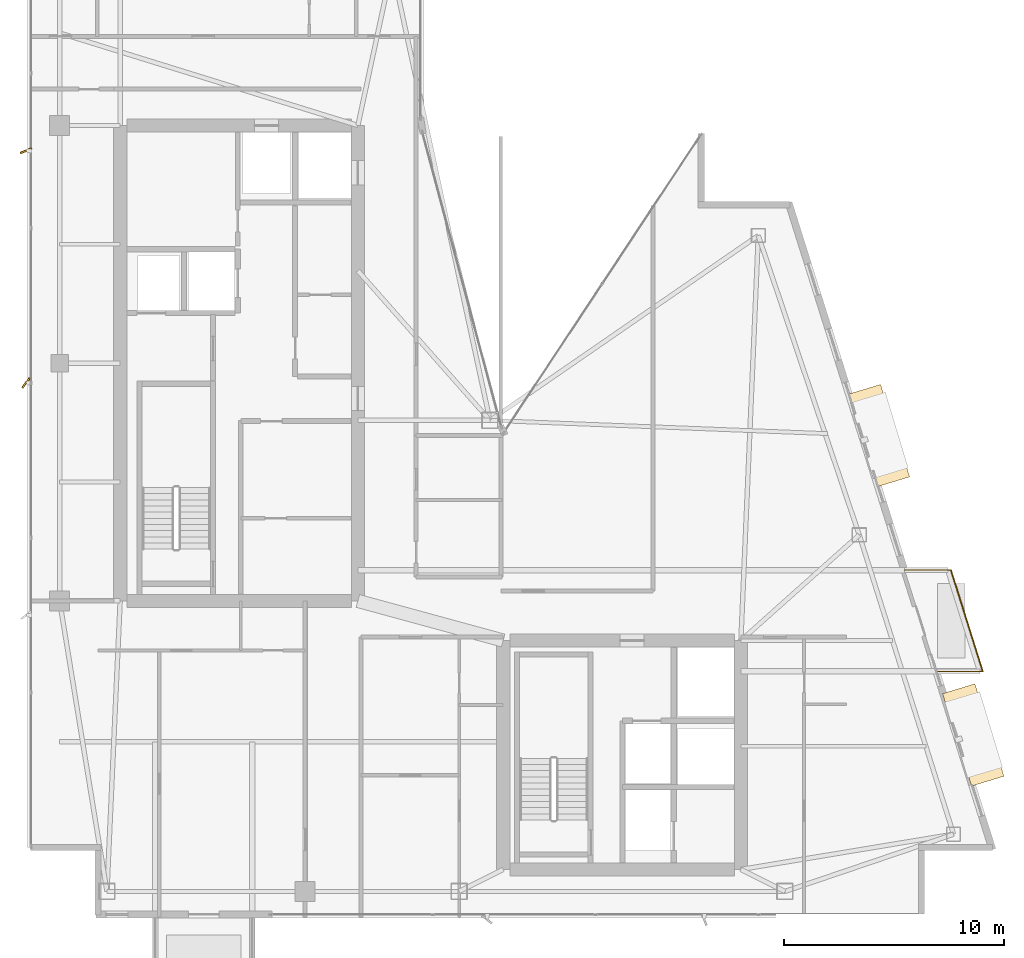
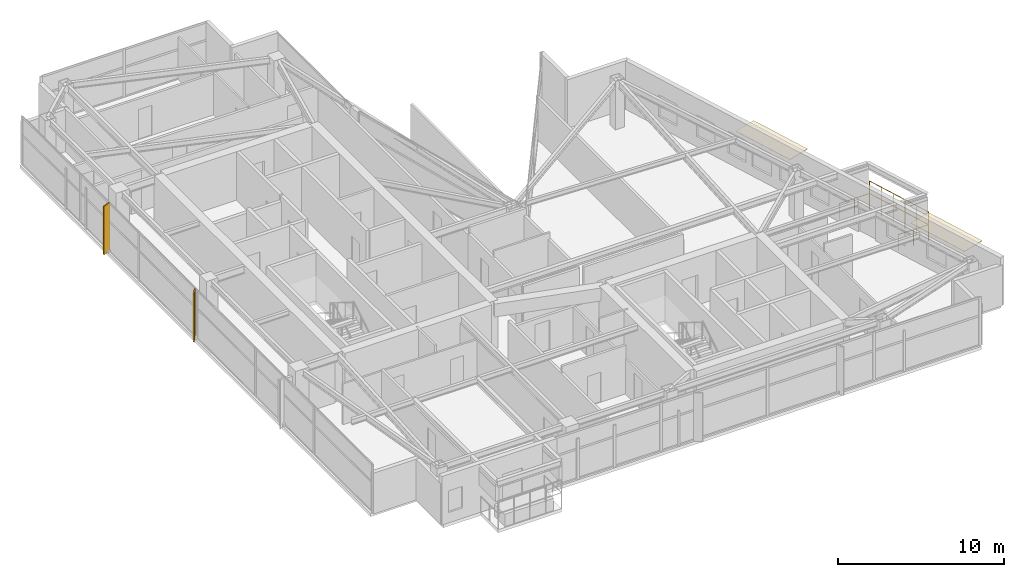
# One storey, part 28 of 28: 2 coverings, 2 railings, 2 shading devices.
"""IFC4 building model written with IfcOpenShell, lengths in metres."""

from ifc_helpers import new_model, si_unit, direction, frame, origin, origin_2d, place, context, subcontext, project, spatial, polyline, rectangle, circle, outline, extrude, material, layer, layer_set, type_object, element, save


model = new_model("IFC4")

# Units and contexts
model_context = context("Model", 3, precision=1e-05, world=origin(), true_north=direction((0.0, 1.0)))
body_context = subcontext(model_context, "Body", "Model", "MODEL_VIEW")
ifc_project = project(units=[si_unit("LENGTHUNIT", "METRE"), si_unit("AREAUNIT", "SQUARE_METRE"), si_unit("VOLUMEUNIT", "CUBIC_METRE"), si_unit("PLANEANGLEUNIT", "RADIAN"), si_unit("MASSUNIT", "GRAM", prefix="KILO")], contexts=[model_context])

# Site, building, storey
site_placement = place(None, origin())
site = spatial("IfcSite", under=ifc_project, at=site_placement, CompositionType="ELEMENT")
building_placement = place(site_placement, origin())
building = spatial("IfcBuilding", under=site, at=building_placement, Name="Calvorn Quay Hotel", CompositionType="ELEMENT")
storey_placement = place(building_placement, frame((0.0, 0.0, 271.10009765625)))
storey = spatial("IfcBuildingStorey", under=building, at=storey_placement, Name="L67", CompositionType="ELEMENT", Elevation=271.10009765625)

# Coverings
ifc_material_1 = material(Name="Pale Anodised Aluminium Rainscreen Cladding", Category="aluminium")
ifc_layer = layer(ifc_material_1, 0.044921875)
ifc_layer_set = layer_set([ifc_layer], Name="COV-CROWN-CLAD")
covering_type = type_object("IfcCoveringType", Name="COV-CROWN-CLAD", PredefinedType="CLADDING", material=ifc_layer_set)
covering_1_placement = place(storey_placement, frame((0.0, 0.0, 2.5048828125)))
element("IfcCovering", 1, at=covering_1_placement, inside=storey, type_object=covering_type, Name="Angled Bay Hood Canopy L67-HOOD-1", PredefinedType="CLADDING", context=body_context, shape_type="SweptSolid", body=[
    extrude(outline(polyline([(41.556884765625, 12.587890625), (43.030029296875, 13.034912109375), (44.35302734375, 8.8349609375), (42.8798828125, 8.387939453125), (41.556884765625, 12.587890625)])), origin(), (0.0, 0.0, 1.0), 0.044921875),
])
covering_2_placement = place(storey_placement, frame((0.0, 0.0, 2.5048828125)))
element("IfcCovering", 2, at=covering_2_placement, inside=storey, type_object=covering_type, Name="Angled Bay Hood Canopy L67-HOOD-3", PredefinedType="CLADDING", context=body_context, shape_type="SweptSolid", body=[
    extrude(outline(polyline([(37.27197265625, 26.18798828125), (38.7451171875, 26.635009765625), (40.069091796875, 22.43505859375), (38.594970703125, 21.988037109375), (37.27197265625, 26.18798828125)])), origin(), (0.0, 0.0, 1.0), 0.044921875),
])

# Railings
ifc_material_2 = material(Name="Pale Anodised Aluminium and Laminated Glass", Category="aluminium")
railing_type = type_object("IfcRailingType", Name="RLG-BALUSTRADE-1200", PredefinedType="BALUSTRADE", material=ifc_material_2)
railing_1_placement = place(storey_placement, frame((41.2890625, 13.60009765625, 0.0)))
element("IfcRailing", 3, at=railing_1_placement, inside=storey, type_object=railing_type, Name="Tree Balcony Perimeter Balustrade L67-BALC-E", PredefinedType="BALUSTRADE", context=body_context, shape_type="SweptSolid", body=[
    extrude(circle(Radius=0.02392578125, at=origin_2d()), frame((0.0, 0.0, 1.17578125), z_axis=(1.0, 0.0, 0.0), x_axis=(0.0, 1.0, 0.0)), (0.0, 0.0, 1.0), 2.099853515625),
    extrude(circle(Radius=0.02392578125, at=origin_2d()), frame((2.099853515625, 0.0, 1.17578125), z_axis=(-0.300450487966, 0.953797412599, 0.0), x_axis=(-0.953797412599, -0.300450487966, 0.0)), (0.0, 0.0, 1.0), 4.82275390625),
    extrude(circle(Radius=0.02392578125, at=origin_2d()), frame((0.65087890625, 4.599853515625, 1.17578125), z_axis=(-1.0, 0.0, 0.0), x_axis=(0.0, -1.0, 0.0)), (0.0, 0.0, 1.0), 2.099853515625),
    extrude(circle(Radius=0.02099609375, at=origin_2d()), origin(), (0.0, 0.0, 1.0), 1.15185546875),
    extrude(circle(Radius=0.02099609375, at=origin_2d()), frame((1.0498046875, 0.0, 0.0)), (0.0, 0.0, 1.0), 1.15185546875),
    extrude(circle(Radius=0.02099609375, at=origin_2d()), frame((2.099853515625, 0.0, 0.0)), (0.0, 0.0, 1.0), 1.15185546875),
    extrude(circle(Radius=0.02099609375, at=origin_2d()), frame((1.81005859375, 0.919921875, 0.0)), (0.0, 0.0, 1.0), 1.15185546875),
    extrude(circle(Radius=0.02099609375, at=origin_2d()), frame((1.520263671875, 1.83984375, 0.0)), (0.0, 0.0, 1.0), 1.15185546875),
    extrude(circle(Radius=0.02099609375, at=origin_2d()), frame((1.23046875, 2.760009765625, 0.0)), (0.0, 0.0, 1.0), 1.15185546875),
    extrude(circle(Radius=0.02099609375, at=origin_2d()), frame((0.940673828125, 3.679931640625, 0.0)), (0.0, 0.0, 1.0), 1.15185546875),
    extrude(circle(Radius=0.02099609375, at=origin_2d()), frame((0.65087890625, 4.599853515625, 0.0)), (0.0, 0.0, 1.0), 1.15185546875),
    extrude(circle(Radius=0.02099609375, at=origin_2d()), frame((-0.39892578125, 4.599853515625, 0.0)), (0.0, 0.0, 1.0), 1.15185546875),
    extrude(circle(Radius=0.02099609375, at=origin_2d()), frame((-1.448974609375, 4.599853515625, 0.0)), (0.0, 0.0, 1.0), 1.15185546875),
])
railing_2_placement = place(storey_placement, frame((43.388916015625, 13.60009765625, 0.89990234375)))
element("IfcRailing", 4, at=railing_2_placement, inside=storey, type_object=railing_type, Name="Planter Kerb High Safety Screen L67-BALC-E", PredefinedType="BALUSTRADE", context=body_context, shape_type="SweptSolid", body=[
    extrude(circle(Radius=0.02392578125, at=origin_2d()), frame((0.0, 0.0, 1.19580078125), z_axis=(-0.300450487966, 0.953797412599, 0.0), x_axis=(-0.953797412599, -0.300450487966, 0.0)), (0.0, 0.0, 1.0), 4.82275390625),
    extrude(circle(Radius=0.02099609375, at=origin_2d()), origin(), (0.0, 0.0, 1.0), 1.171875),
    extrude(circle(Radius=0.02099609375, at=origin_2d()), frame((-0.289794921875, 0.919921875, 0.0)), (0.0, 0.0, 1.0), 1.171875),
    extrude(circle(Radius=0.02099609375, at=origin_2d()), frame((-0.57958984375, 1.83984375, 0.0)), (0.0, 0.0, 1.0), 1.171875),
    extrude(circle(Radius=0.02099609375, at=origin_2d()), frame((-0.869384765625, 2.760009765625, 0.0)), (0.0, 0.0, 1.0), 1.171875),
    extrude(circle(Radius=0.02099609375, at=origin_2d()), frame((-1.1591796875, 3.679931640625, 0.0)), (0.0, 0.0, 1.0), 1.171875),
    extrude(circle(Radius=0.02099609375, at=origin_2d()), frame((-1.448974609375, 4.599853515625, 0.0)), (0.0, 0.0, 1.0), 1.171875),
])

# Shading devices
ifc_material_3 = material(Name="Champagne Bronze Anodised Aluminium 6063-T6", Category="aluminium")
shading_device_type_1 = type_object("IfcShadingDeviceType", Name="SHD-FIN-A1", PredefinedType="USERDEFINED", material=ifc_material_3)
shading_device_1_placement = place(storey_placement, frame((-0.080078125, 37.25, -0.000244140625), z_axis=(0.0, 0.0, 1.0), x_axis=(0.927183854567, 0.374606593416, 0.0)))
element("IfcShadingDevice", 5, at=shading_device_1_placement, inside=storey, type_object=shading_device_type_1, Name="Diagonal Sun-Shading Fin L67-W03", ObjectType="FIN", PredefinedType="USERDEFINED", context=body_context, shape_type="SweptSolid", body=[
    extrude(rectangle(XDim=0.550048828125, YDim=0.080078125, at=origin_2d()), origin(), (0.0, 0.0, 1.0), 3.56005859375),
])
ifc_material_4 = material(Name="Champagne Bronze Anodised Aluminium 6063-T6", Category="aluminium")
shading_device_type_2 = type_object("IfcShadingDeviceType", Name="SHD-FIN-A3", PredefinedType="USERDEFINED", material=ifc_material_4)
shading_device_2_placement = place(storey_placement, frame((-0.080078125, 26.699951171875, -0.000244140625), z_axis=(0.0, 0.0, 1.0), x_axis=(0.587785252292, 0.809016994375, 0.0)))
element("IfcShadingDevice", 6, at=shading_device_2_placement, inside=storey, type_object=shading_device_type_2, Name="Diagonal Sun-Shading Fin L67-W02", ObjectType="FIN", PredefinedType="USERDEFINED", context=body_context, shape_type="SweptSolid", body=[
    extrude(rectangle(XDim=0.550048828125, YDim=0.080078125, at=origin_2d()), origin(), (0.0, 0.0, 1.0), 3.56005859375),
])

save(model, "model.ifc")
